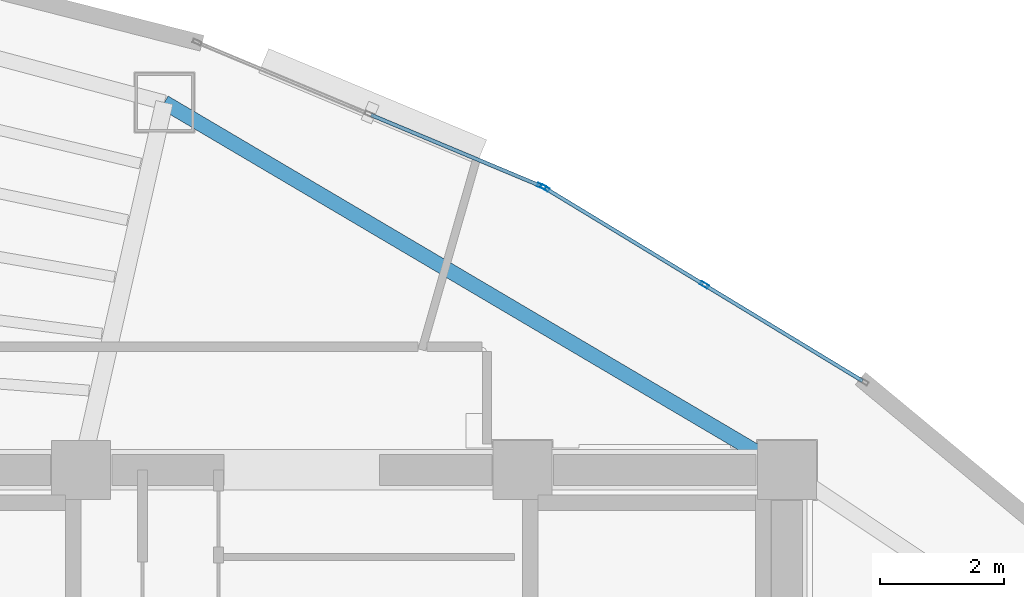
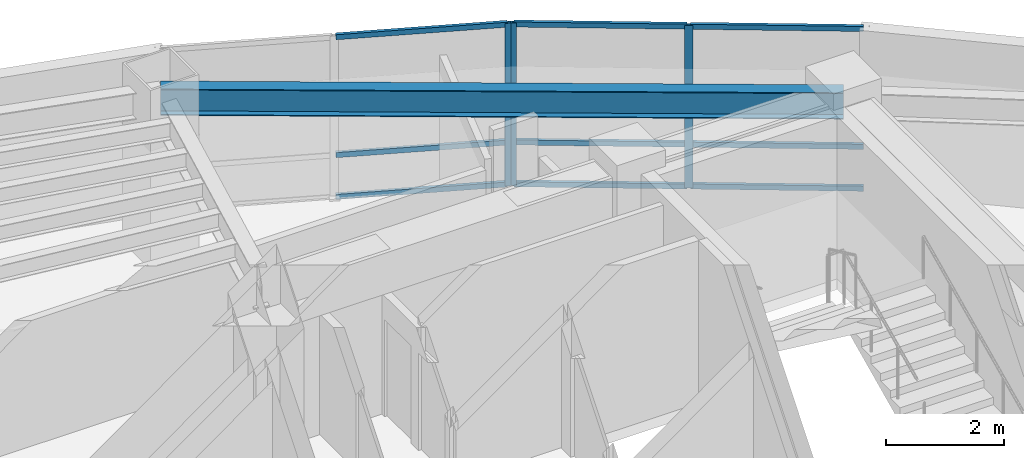
# One storey, part 10 of 16: 12 members, 1 beam, 2 elements without a shape of their own.
"""IFC4 building model written with IfcOpenShell, lengths in metres."""

from ifc_helpers import new_model, si_unit, direction, frame, origin, origin_2d, place, context, subcontext, project, spatial, hollow_rectangle, i_section, extrude, material, layer, layer_set, material_profile, profile_set, type_object, element, aggregate, save


model = new_model("IFC4")

# Units and contexts
model_context = context("Model", 3, precision=1e-05, world=origin(), true_north=direction((0.0, 1.0)))
body_context = subcontext(model_context, "Body", "Model", "MODEL_VIEW")
ifc_project = project(units=[si_unit("LENGTHUNIT", "METRE"), si_unit("AREAUNIT", "SQUARE_METRE"), si_unit("VOLUMEUNIT", "CUBIC_METRE"), si_unit("PLANEANGLEUNIT", "RADIAN"), si_unit("MASSUNIT", "GRAM", prefix="KILO")], contexts=[model_context])

# Site, building, storey
site_placement = place(None, origin())
site = spatial("IfcSite", under=ifc_project, at=site_placement, CompositionType="ELEMENT")
building_placement = place(site_placement, origin())
building = spatial("IfcBuilding", under=site, at=building_placement, Name="Menara Vayukalpa", CompositionType="ELEMENT")
storey_placement = place(building_placement, frame((0.0, 0.0, 210.1201171875)))
storey = spatial("IfcBuildingStorey", under=building, at=storey_placement, Name="L53", CompositionType="ELEMENT", Elevation=210.1201171875)

# Beam
ifc_material_1 = material(Name="Steel S355", Category="steel")
ifc_material_profile_1 = material_profile(ifc_material_1, i_section(OverallWidth=0.239990234375, OverallDepth=0.550048828125, WebThickness=0.010986328125, FlangeThickness=0.01904296875, at=origin_2d()), Name="WF 550x240x11x19")
ifc_profile_set_1 = profile_set([ifc_material_profile_1], Name="Steel S355")
beam_type = type_object("IfcBeamType", Name="BM-SP2", PredefinedType="SPANDREL", material=ifc_profile_set_1)
beam_placement = place(storey_placement, frame((33.39990234375, 26.800048828125, 3.10498046875), z_axis=(-0.861184403346, 0.508292655302, 0.0), x_axis=(-0.508292655302, -0.861184403346, 0.0)))
element("IfcBeam", 1, at=beam_placement, inside=storey, type_object=beam_type, Name="L53 Perimeter Spandrel Beam SP02", PredefinedType="SPANDREL", context=body_context, shape_type="SweptSolid", body=[
    extrude(i_section(OverallWidth=0.239990234375, OverallDepth=0.550048828125, WebThickness=0.010986328125, FlangeThickness=0.01904296875, at=origin_2d()), origin(), (0.0, 0.0, 1.0), 11.6240234375),
])

# Curtain wall, members
ifc_material_2 = material(Name="Anodised Terracotta Aluminium Alloy 6063-T6", Category="masonry")
ifc_layer = layer(ifc_material_2, 0.139892578125)
ifc_layer_set = layer_set([ifc_layer], Name="Anodised Terracotta Aluminium Alloy 6063-T6")
curtain_wall_type = type_object("IfcCurtainWallType", Name="CW-CW5", PredefinedType="USERDEFINED", material=ifc_layer_set)
curtain_wall_1_placement = place(storey_placement, origin())
curtain_wall_1 = element("IfcCurtainWall", 2, at=curtain_wall_1_placement, inside=storey, type_object=curtain_wall_type, Name="L53 High Rise Tapered Curtain Wall CW5 04", ObjectType="UNITISED", PredefinedType="USERDEFINED")
ifc_material_3 = material(Name="Anodised Terracotta Aluminium Alloy 6063-T6", Category="masonry")
ifc_material_profile_2 = material_profile(ifc_material_3, hollow_rectangle(XDim=0.06005859375, YDim=0.139892578125, WallThickness=0.00341796875, at=origin_2d()), Name="ALU 60x140x3.5")
ifc_profile_set_2 = profile_set([ifc_material_profile_2], Name="Anodised Terracotta Aluminium Alloy 6063-T6")
member_type_1 = type_object("IfcMemberType", Name="CWM-CW5", PredefinedType="MULLION", material=ifc_profile_set_2)
member_1_placement = place(storey_placement, frame((32.075439453125, 29.773681640625, 0.0), z_axis=(0.0, 0.0, 1.0), x_axis=(-0.519179911779, -0.854664974832, 0.0)))
member_1 = element("IfcMember", 3, at=member_1_placement, type_object=member_type_1, Name="CW5 mullion 2", PredefinedType="MULLION", context=body_context, shape_type="SweptSolid", body=[
    extrude(hollow_rectangle(XDim=0.06005859375, YDim=0.139892578125, WallThickness=0.00341796875, at=origin_2d()), origin(), (0.0, 0.0, 1.0), 3.3798828125),
])
member_2_placement = place(storey_placement, frame((29.509521484375, 31.33251953125, 0.0), z_axis=(0.0, 0.0, 1.0), x_axis=(-0.519179911779, -0.854664974832, 0.0)))
member_2 = element("IfcMember", 4, at=member_2_placement, type_object=member_type_1, Name="CW5 mullion 3", PredefinedType="MULLION", context=body_context, shape_type="SweptSolid", body=[
    extrude(hollow_rectangle(XDim=0.06005859375, YDim=0.139892578125, WallThickness=0.00341796875, at=origin_2d()), origin(), (0.0, 0.0, 1.0), 3.3798828125),
])

# Curtain wall, member
curtain_wall_2_placement = place(storey_placement, origin())
curtain_wall_2 = element("IfcCurtainWall", 5, at=curtain_wall_2_placement, inside=storey, type_object=curtain_wall_type, Name="L53 High Rise Tapered Curtain Wall CW5 05", ObjectType="UNITISED", PredefinedType="USERDEFINED")
member_3_placement = place(storey_placement, frame((29.4560546875, 31.359619140625, 0.0), z_axis=(0.0, 0.0, 1.0), x_axis=(-0.385902834406, -0.922539431351, 0.0)))
member_3 = element("IfcMember", 6, at=member_3_placement, type_object=member_type_1, Name="CW5 mullion 1", PredefinedType="MULLION", context=body_context, shape_type="SweptSolid", body=[
    extrude(hollow_rectangle(XDim=0.06005859375, YDim=0.139892578125, WallThickness=0.00341796875, at=origin_2d()), origin(), (0.0, 0.0, 1.0), 3.3798828125),
])

# Member
ifc_material_4 = material(Name="Anodised Terracotta Aluminium Alloy 6063-T6", Category="masonry")
ifc_material_profile_3 = material_profile(ifc_material_4, hollow_rectangle(XDim=0.06005859375, YDim=0.10498046875, WallThickness=0.0029296875, at=origin_2d()), Name="ALU 60x105x3")
ifc_profile_set_3 = profile_set([ifc_material_profile_3], Name="Anodised Terracotta Aluminium Alloy 6063-T6")
member_type_2 = type_object("IfcMemberType", Name="CWT-CW5", PredefinedType="USERDEFINED", material=ifc_profile_set_3)
member_4_placement = place(storey_placement, frame((34.615966796875, 28.23046875, 0.02978515625), z_axis=(-0.854683649113, 0.519149169255, 0.0), x_axis=(-0.519149169255, -0.854683649113, 0.0)))
member_4 = element("IfcMember", 7, at=member_4_placement, type_object=member_type_2, Name="CW5 transom 1.1", ObjectType="TRANSOM", PredefinedType="USERDEFINED", context=body_context, shape_type="SweptSolid", body=[
    extrude(hollow_rectangle(XDim=0.06005859375, YDim=0.10498046875, WallThickness=0.0029296875, at=origin_2d()), origin(), (0.0, 0.0, 1.0), 2.9423828125),
])

member_5_placement = place(storey_placement, frame((34.615966796875, 28.23046875, 0.89990234375), z_axis=(-0.854683649113, 0.519149169255, 0.0), x_axis=(-0.519149169255, -0.854683649113, 0.0)))
member_5 = element("IfcMember", 8, at=member_5_placement, type_object=member_type_2, Name="CW5 transom 1.2", ObjectType="TRANSOM", PredefinedType="USERDEFINED", context=body_context, shape_type="SweptSolid", body=[
    extrude(hollow_rectangle(XDim=0.06005859375, YDim=0.10498046875, WallThickness=0.0029296875, at=origin_2d()), origin(), (0.0, 0.0, 1.0), 2.9423828125),
])

member_6_placement = place(storey_placement, frame((34.615966796875, 28.23046875, 3.349853515625), z_axis=(-0.854683649113, 0.519149169255, 0.0), x_axis=(-0.519149169255, -0.854683649113, 0.0)))
member_6 = element("IfcMember", 9, at=member_6_placement, type_object=member_type_2, Name="CW5 transom 1.3", ObjectType="TRANSOM", PredefinedType="USERDEFINED", context=body_context, shape_type="SweptSolid", body=[
    extrude(hollow_rectangle(XDim=0.06005859375, YDim=0.10498046875, WallThickness=0.0029296875, at=origin_2d()), origin(), (0.0, 0.0, 1.0), 2.9423828125),
])

member_7_placement = place(storey_placement, frame((32.0498046875, 29.789306640625, 0.02978515625), z_axis=(-0.85466128475, 0.51918598628, 0.0), x_axis=(-0.51918598628, -0.85466128475, 0.0)))
member_7 = element("IfcMember", 10, at=member_7_placement, type_object=member_type_2, Name="CW5 transom 2.1", ObjectType="TRANSOM", PredefinedType="USERDEFINED", context=body_context, shape_type="SweptSolid", body=[
    extrude(hollow_rectangle(XDim=0.06005859375, YDim=0.10498046875, WallThickness=0.0029296875, at=origin_2d()), origin(), (0.0, 0.0, 1.0), 2.9423828125),
])

member_8_placement = place(storey_placement, frame((32.0498046875, 29.789306640625, 0.89990234375), z_axis=(-0.85466128475, 0.51918598628, 0.0), x_axis=(-0.51918598628, -0.85466128475, 0.0)))
member_8 = element("IfcMember", 11, at=member_8_placement, type_object=member_type_2, Name="CW5 transom 2.2", ObjectType="TRANSOM", PredefinedType="USERDEFINED", context=body_context, shape_type="SweptSolid", body=[
    extrude(hollow_rectangle(XDim=0.06005859375, YDim=0.10498046875, WallThickness=0.0029296875, at=origin_2d()), origin(), (0.0, 0.0, 1.0), 2.9423828125),
])

member_9_placement = place(storey_placement, frame((32.0498046875, 29.789306640625, 3.349853515625), z_axis=(-0.85466128475, 0.51918598628, 0.0), x_axis=(-0.51918598628, -0.85466128475, 0.0)))
member_9 = element("IfcMember", 12, at=member_9_placement, type_object=member_type_2, Name="CW5 transom 2.3", ObjectType="TRANSOM", PredefinedType="USERDEFINED", context=body_context, shape_type="SweptSolid", body=[
    extrude(hollow_rectangle(XDim=0.06005859375, YDim=0.10498046875, WallThickness=0.0029296875, at=origin_2d()), origin(), (0.0, 0.0, 1.0), 2.9423828125),
])

aggregate(curtain_wall_1, [member_1, member_2, member_4, member_5, member_6, member_7, member_8, member_9])

member_10_placement = place(storey_placement, frame((29.428466796875, 31.371337890625, 0.02978515625), z_axis=(-0.922543360613, 0.385893440976, 0.0), x_axis=(-0.385893440976, -0.922543360613, 0.0)))
member_10 = element("IfcMember", 13, at=member_10_placement, type_object=member_type_2, Name="CW5 transom 1.1", ObjectType="TRANSOM", PredefinedType="USERDEFINED", context=body_context, shape_type="SweptSolid", body=[
    extrude(hollow_rectangle(XDim=0.06005859375, YDim=0.10498046875, WallThickness=0.0029296875, at=origin_2d()), origin(), (0.0, 0.0, 1.0), 2.942626953125),
])

member_11_placement = place(storey_placement, frame((29.428466796875, 31.371337890625, 0.89990234375), z_axis=(-0.922543360613, 0.385893440976, 0.0), x_axis=(-0.385893440976, -0.922543360613, 0.0)))
member_11 = element("IfcMember", 14, at=member_11_placement, type_object=member_type_2, Name="CW5 transom 1.2", ObjectType="TRANSOM", PredefinedType="USERDEFINED", context=body_context, shape_type="SweptSolid", body=[
    extrude(hollow_rectangle(XDim=0.06005859375, YDim=0.10498046875, WallThickness=0.0029296875, at=origin_2d()), origin(), (0.0, 0.0, 1.0), 2.942626953125),
])

member_12_placement = place(storey_placement, frame((29.428466796875, 31.371337890625, 3.349853515625), z_axis=(-0.922543360613, 0.385893440976, 0.0), x_axis=(-0.385893440976, -0.922543360613, 0.0)))
member_12 = element("IfcMember", 15, at=member_12_placement, type_object=member_type_2, Name="CW5 transom 1.3", ObjectType="TRANSOM", PredefinedType="USERDEFINED", context=body_context, shape_type="SweptSolid", body=[
    extrude(hollow_rectangle(XDim=0.06005859375, YDim=0.10498046875, WallThickness=0.0029296875, at=origin_2d()), origin(), (0.0, 0.0, 1.0), 2.942626953125),
])

aggregate(curtain_wall_2, [member_3, member_10, member_11, member_12])

save(model, "model.ifc")
